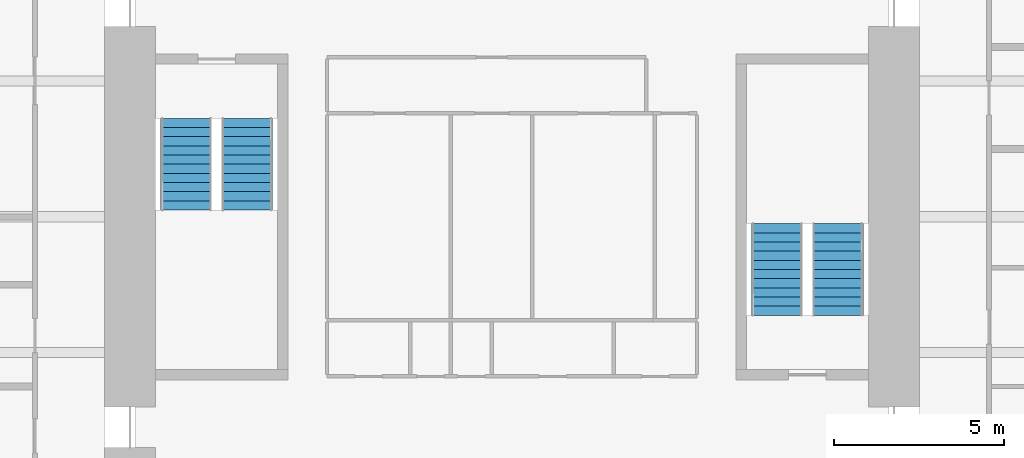
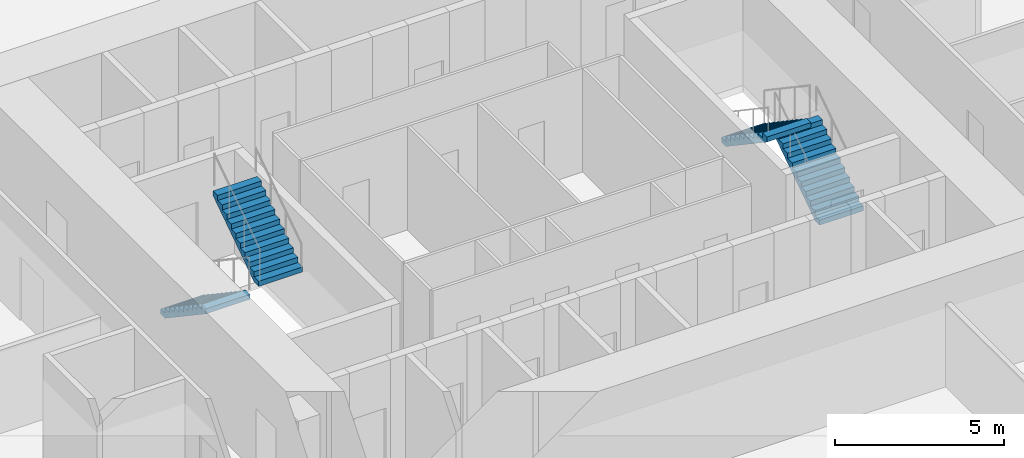
# One storey, part 14 of 15: 4 stair flights, 2 elements without a shape of their own.
"""IFC4 building model written with IfcOpenShell, lengths in metres."""

from ifc_helpers import new_model, si_unit, direction, frame, origin, place, context, subcontext, project, spatial, polyline, outline, extrude, material, type_object, element, aggregate, save


model = new_model("IFC4")

# Units and contexts
model_context = context("Model", 3, precision=1e-05, world=origin(), true_north=direction((0.0, 1.0)))
body_context = subcontext(model_context, "Body", "Model", "MODEL_VIEW")
ifc_project = project(units=[si_unit("LENGTHUNIT", "METRE"), si_unit("AREAUNIT", "SQUARE_METRE"), si_unit("VOLUMEUNIT", "CUBIC_METRE"), si_unit("PLANEANGLEUNIT", "RADIAN"), si_unit("MASSUNIT", "GRAM", prefix="KILO")], contexts=[model_context])

# Site, building, storey
site_placement = place(None, origin())
site = spatial("IfcSite", under=ifc_project, at=site_placement, CompositionType="ELEMENT")
building_placement = place(site_placement, origin())
building = spatial("IfcBuilding", under=site, at=building_placement, Name="Peilmerk Tower", CompositionType="ELEMENT")
storey_placement = place(building_placement, frame((0.0, 0.0, 289.800048828125)))
storey = spatial("IfcBuildingStorey", under=building, at=storey_placement, Name="L65", CompositionType="ELEMENT", Elevation=289.800048828125)

# Stair, stair flights
ifc_material = material(Name="Precast concrete C45/55", Category="concrete")
stair_type_1 = type_object("IfcStairType", Name="ST1 22 risers of 181.8", PredefinedType="HALF_TURN_STAIR", material=ifc_material)
stair_1_placement = place(storey_placement, origin())
stair_1 = element("IfcStair", 1, at=stair_1_placement, inside=storey, type_object=stair_type_1, Name="Stair 1 L65 to L66", PredefinedType="HALF_TURN_STAIR")
stair_flight_type = type_object("IfcStairFlightType", Name="SF11 flight, 11 risers of 181.8", PredefinedType="STRAIGHT", material=ifc_material)
stair_flight_1_placement = place(storey_placement, frame((-9.60009765625, 2.89990234375, 0.0), z_axis=(0.0, 0.0, 1.0), x_axis=(0.0, -1.0, 0.0)))
stair_flight_1 = element("IfcStairFlight", 2, at=stair_flight_1_placement, type_object=stair_flight_type, Name="ST1 flight 1", NumberOfRisers=11, NumberOfTreads=10, PredefinedType="STRAIGHT", RiserHeight=0.181818182, TreadLength=0.27, context=body_context, shape_type="SweptSolid", body=[
    extrude(outline(polyline([(0.0, 0.0), (0.0, 0.181884765625), (0.27001953125, 0.181884765625), (0.27001953125, 0.363525390625), (0.5400390625, 0.363525390625), (0.5400390625, 0.54541015625), (0.81005859375, 0.54541015625), (0.81005859375, 0.727294921875), (1.080078125, 0.727294921875), (1.080078125, 0.9091796875), (1.35009765625, 0.9091796875), (1.35009765625, 1.0908203125), (1.6201171875, 1.0908203125), (1.6201171875, 1.272705078125), (1.889892578125, 1.272705078125), (1.889892578125, 1.45458984375), (2.159912109375, 1.45458984375), (2.159912109375, 1.636474609375), (2.429931640625, 1.636474609375), (2.429931640625, 1.818115234375), (2.699951171875, 1.818115234375), (2.699951171875, 2.0), (2.699951171875, 1.637451171875), (0.268310546875, 0.0), (0.0, 0.0)])), frame((0.0, 0.75, 0.0), z_axis=(0.0, -1.0, 0.0), x_axis=(1.0, 0.0, 0.0)), (0.0, 0.0, 1.0), 1.5),
])
stair_flight_2_placement = place(storey_placement, frame((-7.800048828125, 0.199951171875, 2.0), z_axis=(0.0, 0.0, 1.0), x_axis=(0.0, 1.0, 0.0)))
stair_flight_2 = element("IfcStairFlight", 3, at=stair_flight_2_placement, type_object=stair_flight_type, Name="ST1 flight 2", NumberOfRisers=11, NumberOfTreads=10, PredefinedType="STRAIGHT", RiserHeight=0.181818182, TreadLength=0.27, context=body_context, shape_type="SweptSolid", body=[
    extrude(outline(polyline([(0.0, 0.0), (0.0, 0.181884765625), (0.27001953125, 0.181884765625), (0.27001953125, 0.363525390625), (0.5400390625, 0.363525390625), (0.5400390625, 0.54541015625), (0.81005859375, 0.54541015625), (0.81005859375, 0.727294921875), (1.080078125, 0.727294921875), (1.080078125, 0.9091796875), (1.35009765625, 0.9091796875), (1.35009765625, 1.0908203125), (1.6201171875, 1.0908203125), (1.6201171875, 1.272705078125), (1.889892578125, 1.272705078125), (1.889892578125, 1.45458984375), (2.159912109375, 1.45458984375), (2.159912109375, 1.636474609375), (2.429931640625, 1.636474609375), (2.429931640625, 1.818115234375), (2.699951171875, 1.818115234375), (2.699951171875, 2.0), (2.699951171875, 1.637451171875), (0.268310546875, 0.0), (0.0, 0.0)])), frame((0.0, 0.75, 0.0), z_axis=(0.0, -1.0, 0.0), x_axis=(1.0, 0.0, 0.0)), (0.0, 0.0, 1.0), 1.5),
])
aggregate(stair_1, [stair_flight_1, stair_flight_2])

stair_type_2 = type_object("IfcStairType", Name="ST2 22 risers of 181.8", PredefinedType="HALF_TURN_STAIR", material=ifc_material)
stair_2_placement = place(storey_placement, origin())
stair_2 = element("IfcStair", 4, at=stair_2_placement, inside=storey, type_object=stair_type_2, Name="Stair 2 L65 to L66", PredefinedType="HALF_TURN_STAIR")
stair_flight_3_placement = place(storey_placement, frame((9.60009765625, -2.89990234375, 0.0), z_axis=(0.0, 0.0, 1.0), x_axis=(0.0, 1.0, 0.0)))
stair_flight_3 = element("IfcStairFlight", 5, at=stair_flight_3_placement, type_object=stair_flight_type, Name="ST2 flight 1", NumberOfRisers=11, NumberOfTreads=10, PredefinedType="STRAIGHT", RiserHeight=0.181818182, TreadLength=0.27, context=body_context, shape_type="SweptSolid", body=[
    extrude(outline(polyline([(0.0, 0.0), (0.0, 0.181884765625), (0.27001953125, 0.181884765625), (0.27001953125, 0.363525390625), (0.5400390625, 0.363525390625), (0.5400390625, 0.54541015625), (0.81005859375, 0.54541015625), (0.81005859375, 0.727294921875), (1.080078125, 0.727294921875), (1.080078125, 0.9091796875), (1.35009765625, 0.9091796875), (1.35009765625, 1.0908203125), (1.6201171875, 1.0908203125), (1.6201171875, 1.272705078125), (1.889892578125, 1.272705078125), (1.889892578125, 1.45458984375), (2.159912109375, 1.45458984375), (2.159912109375, 1.636474609375), (2.429931640625, 1.636474609375), (2.429931640625, 1.818115234375), (2.699951171875, 1.818115234375), (2.699951171875, 2.0), (2.699951171875, 1.637451171875), (0.268310546875, 0.0), (0.0, 0.0)])), frame((0.0, 0.75, 0.0), z_axis=(0.0, -1.0, 0.0), x_axis=(1.0, 0.0, 0.0)), (0.0, 0.0, 1.0), 1.5),
])
stair_flight_4_placement = place(storey_placement, frame((7.800048828125, -0.199951171875, 2.0), z_axis=(0.0, 0.0, 1.0), x_axis=(0.0, -1.0, 0.0)))
stair_flight_4 = element("IfcStairFlight", 6, at=stair_flight_4_placement, type_object=stair_flight_type, Name="ST2 flight 2", NumberOfRisers=11, NumberOfTreads=10, PredefinedType="STRAIGHT", RiserHeight=0.181818182, TreadLength=0.27, context=body_context, shape_type="SweptSolid", body=[
    extrude(outline(polyline([(0.0, 0.0), (0.0, 0.181884765625), (0.27001953125, 0.181884765625), (0.27001953125, 0.363525390625), (0.5400390625, 0.363525390625), (0.5400390625, 0.54541015625), (0.81005859375, 0.54541015625), (0.81005859375, 0.727294921875), (1.080078125, 0.727294921875), (1.080078125, 0.9091796875), (1.35009765625, 0.9091796875), (1.35009765625, 1.0908203125), (1.6201171875, 1.0908203125), (1.6201171875, 1.272705078125), (1.889892578125, 1.272705078125), (1.889892578125, 1.45458984375), (2.159912109375, 1.45458984375), (2.159912109375, 1.636474609375), (2.429931640625, 1.636474609375), (2.429931640625, 1.818115234375), (2.699951171875, 1.818115234375), (2.699951171875, 2.0), (2.699951171875, 1.637451171875), (0.268310546875, 0.0), (0.0, 0.0)])), frame((0.0, 0.75, 0.0), z_axis=(0.0, -1.0, 0.0), x_axis=(1.0, 0.0, 0.0)), (0.0, 0.0, 1.0), 1.5),
])
aggregate(stair_2, [stair_flight_3, stair_flight_4])

save(model, "model.ifc")
